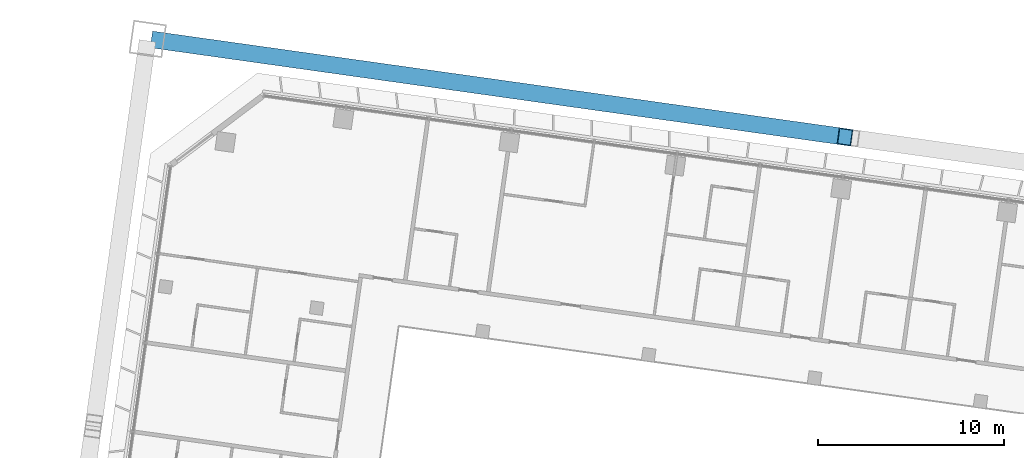
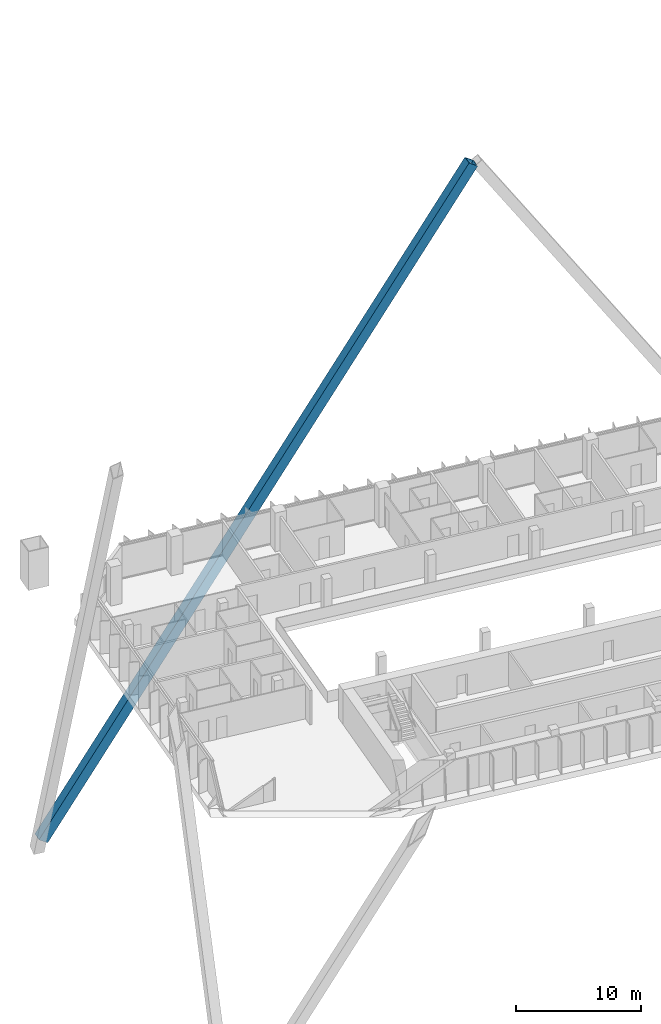
# One storey, part 9 of 49: 1 member.
"""IFC4 building model written with IfcOpenShell, lengths in metres."""

from ifc_helpers import new_model, si_unit, direction, frame, origin, origin_2d, place, context, subcontext, project, spatial, hollow_rectangle, extrude, material, material_profile, profile_set, type_object, element, save


model = new_model("IFC4")

# Units and contexts
model_context = context("Model", 3, precision=1e-05, world=origin(), true_north=direction((0.0, 1.0)))
body_context = subcontext(model_context, "Body", "Model", "MODEL_VIEW")
ifc_project = project(units=[si_unit("LENGTHUNIT", "METRE"), si_unit("AREAUNIT", "SQUARE_METRE"), si_unit("VOLUMEUNIT", "CUBIC_METRE"), si_unit("PLANEANGLEUNIT", "RADIAN"), si_unit("MASSUNIT", "GRAM", prefix="KILO")], contexts=[model_context])

# Site, building, storey
site_placement = place(None, origin())
site = spatial("IfcSite", under=ifc_project, at=site_placement, CompositionType="ELEMENT")
building_placement = place(site_placement, origin())
building = spatial("IfcBuilding", under=site, at=building_placement, Name="Mirante Cascada Hotel Towers", CompositionType="ELEMENT")
storey_placement = place(building_placement, frame((0.0, 0.0, 66.1)))
storey = spatial("IfcBuildingStorey", under=building, at=storey_placement, Name="L13", CompositionType="ELEMENT", Elevation=66.1)

# Member
ifc_material = material(Name="Steel ASTM A572 Gr 50", Category="steel")
ifc_material_profile = material_profile(ifc_material, hollow_rectangle(XDim=0.9, YDim=0.9, WallThickness=0.045, at=origin_2d()), Name="Box brace 900x900x45 ASTM A572 Gr 50")
ifc_profile_set = profile_set([ifc_material_profile], Name="Steel ASTM A572 Gr 50")
member_type = type_object("IfcMemberType", Name="Box brace 900x900x45 ASTM A572 Gr 50", PredefinedType="BRACE", material=ifc_profile_set)
member_placement = place(storey_placement, frame((-99.7886, 29.0145, -25.2549), z_axis=(0.5445943, -0.0765374, 0.8352), x_axis=(0.1391725, 0.9902681, 0.0)))
element("IfcMember", 1, at=member_placement, inside=storey, type_object=member_type, Name="brace T1 L13 2", PredefinedType="BRACE", context=body_context, shape_type="SweptSolid", body=[
    extrude(hollow_rectangle(XDim=0.9, YDim=0.9, WallThickness=0.045, at=origin_2d()), origin(), (0.0, 0.0, 1.0), 67.7172),
])

save(model, "model.ifc")
